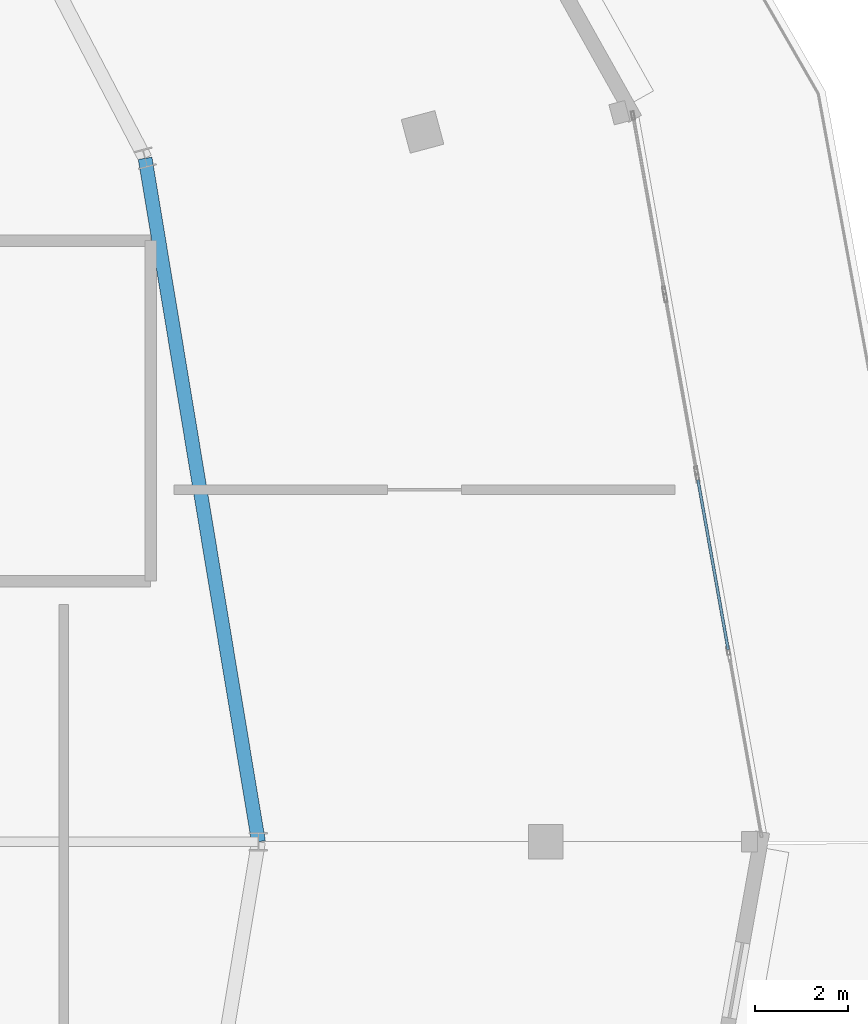
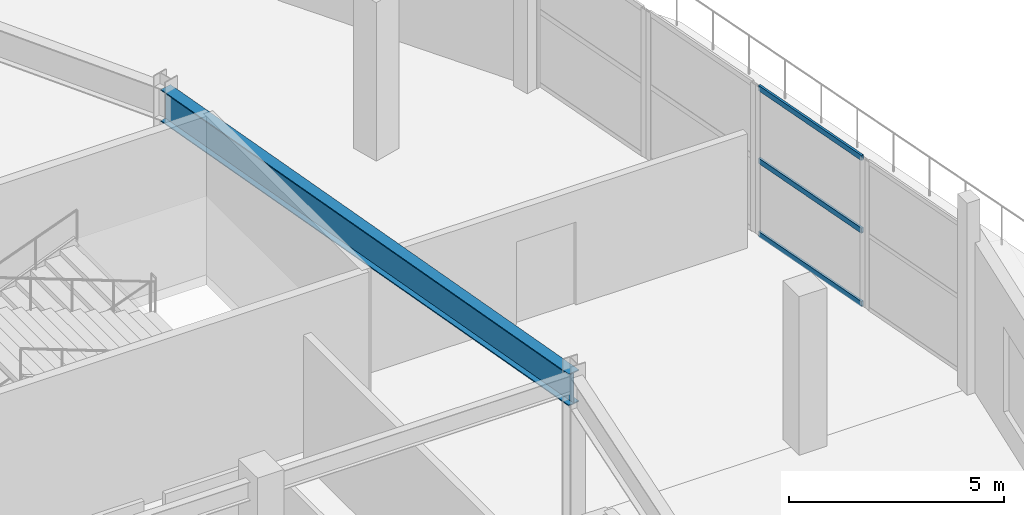
# One storey, part 67 of 123: 3 members, 1 beam, 1 element without a shape of its own.
"""IFC4 building model written with IfcOpenShell, lengths in metres."""

from ifc_helpers import new_model, si_unit, direction, frame, origin, origin_2d, place, context, subcontext, project, spatial, hollow_rectangle, i_section, extrude, material, layer, layer_set, material_profile, profile_set, type_object, element, aggregate, save


model = new_model("IFC4")

# Units and contexts
model_context = context("Model", 3, precision=1e-05, world=origin(), true_north=direction((0.0, 1.0)))
body_context = subcontext(model_context, "Body", "Model", "MODEL_VIEW")
ifc_project = project(units=[si_unit("LENGTHUNIT", "METRE"), si_unit("AREAUNIT", "SQUARE_METRE"), si_unit("VOLUMEUNIT", "CUBIC_METRE"), si_unit("PLANEANGLEUNIT", "RADIAN"), si_unit("MASSUNIT", "GRAM", prefix="KILO")], contexts=[model_context])

# Site, building, storey
site_placement = place(None, origin())
site = spatial("IfcSite", under=ifc_project, at=site_placement, CompositionType="ELEMENT")
building_placement = place(site_placement, origin())
building = spatial("IfcBuilding", under=site, at=building_placement, Name="Kalgoora Escarpment Arena", CompositionType="ELEMENT")
storey_placement = place(building_placement, frame((0.0, 0.0, 9.89990234375)))
storey = spatial("IfcBuildingStorey", under=building, at=storey_placement, Name="L02", CompositionType="ELEMENT", Elevation=9.89990234375)

# Beam
ifc_material_1 = material(Name="Structural steel Grade 350 (350 MPa)", Category="steel")
ifc_material_profile_1 = material_profile(ifc_material_1, i_section(OverallWidth=0.300048828125, OverallDepth=0.909912109375, WebThickness=0.011962890625, FlangeThickness=0.028076171875, at=origin_2d()))
ifc_profile_set_1 = profile_set([ifc_material_profile_1], Name="Structural steel Grade 350 (350 MPa)")
beam_type = type_object("IfcBeamType", Name="BM-SPANDREL-900WB218", PredefinedType="SPANDREL", material=ifc_profile_set_1)
beam_placement = place(storey_placement, frame((164.199951171875, 64.0, 3.72509765625), z_axis=(-0.163602052226, 0.986526415514, 0.0), x_axis=(-0.986526415514, -0.163602052226, 0.0)))
element("IfcBeam", 1, at=beam_placement, inside=storey, type_object=beam_type, Name="L02 Circumferential concourse girder RCONC2 900WB218", PredefinedType="SPANDREL", context=body_context, shape_type="SweptSolid", body=[
    extrude(i_section(OverallWidth=0.300048828125, OverallDepth=0.909912109375, WebThickness=0.011962890625, FlangeThickness=0.028076171875, at=origin_2d()), origin(), (0.0, 0.0, 1.0), 14.9541015625),
])

# Curtain wall, members
ifc_material_2 = material(Name=" Champagne anodised aluminium & double-glazed low-E", Category="aluminium")
ifc_layer = layer(ifc_material_2, 0.14990234375)
ifc_layer_set = layer_set([ifc_layer], Name="CW-UNIT-10")
curtain_wall_type = type_object("IfcCurtainWallType", Name="CW-UNIT-10", PredefinedType="NOTDEFINED", material=ifc_layer_set)
curtain_wall_placement = place(storey_placement, origin())
curtain_wall = element("IfcCurtainWall", 2, at=curtain_wall_placement, inside=storey, type_object=curtain_wall_type, Name="L02 unitised facade curtain wall 089", PredefinedType="NOTDEFINED")
ifc_material_3 = material(Name="Anodised aluminium 6063-T6", Category="aluminium")
ifc_material_profile_2 = material_profile(ifc_material_3, hollow_rectangle(XDim=0.06005859375, YDim=0.14990234375, WallThickness=0.00341796875, at=origin_2d()))
ifc_profile_set_2 = profile_set([ifc_material_profile_2], Name="Anodised aluminium 6063-T6")
member_type = type_object("IfcMemberType", Name="MEM-CW-TRAN-150", PredefinedType="USERDEFINED", material=ifc_profile_set_2)
member_1_placement = place(storey_placement, frame((173.68701171875, 71.810791015625, 0.050048828125), z_axis=(0.175311652664, -0.984512988457, 0.0), x_axis=(0.984512988457, 0.175311652664, 0.0)))
member_1 = element("IfcMember", 3, at=member_1_placement, type_object=member_type, Name="CW-10 transom 1.1", ObjectType="TRANSOM", PredefinedType="USERDEFINED", context=body_context, shape_type="SweptSolid", body=[
    extrude(hollow_rectangle(XDim=0.06005859375, YDim=0.14990234375, WallThickness=0.00341796875, at=origin_2d()), origin(), (0.0, 0.0, 1.0), 3.722412109375),
])
member_2_placement = place(storey_placement, frame((173.68701171875, 71.810791015625, 2.132568359375), z_axis=(0.175311652664, -0.984512988457, 0.0), x_axis=(0.984512988457, 0.175311652664, 0.0)))
member_2 = element("IfcMember", 4, at=member_2_placement, type_object=member_type, Name="CW-10 transom 1.2", ObjectType="TRANSOM", PredefinedType="USERDEFINED", context=body_context, shape_type="SweptSolid", body=[
    extrude(hollow_rectangle(XDim=0.06005859375, YDim=0.14990234375, WallThickness=0.00341796875, at=origin_2d()), origin(), (0.0, 0.0, 1.0), 3.722412109375),
])
member_3_placement = place(storey_placement, frame((173.68701171875, 71.810791015625, 4.195068359375), z_axis=(0.175311652664, -0.984512988457, 0.0), x_axis=(0.984512988457, 0.175311652664, 0.0)))
member_3 = element("IfcMember", 5, at=member_3_placement, type_object=member_type, Name="CW-10 transom 1.3", ObjectType="TRANSOM", PredefinedType="USERDEFINED", context=body_context, shape_type="SweptSolid", body=[
    extrude(hollow_rectangle(XDim=0.06005859375, YDim=0.14990234375, WallThickness=0.00341796875, at=origin_2d()), origin(), (0.0, 0.0, 1.0), 3.722412109375),
])
aggregate(curtain_wall, [member_1, member_2, member_3])

save(model, "model.ifc")
